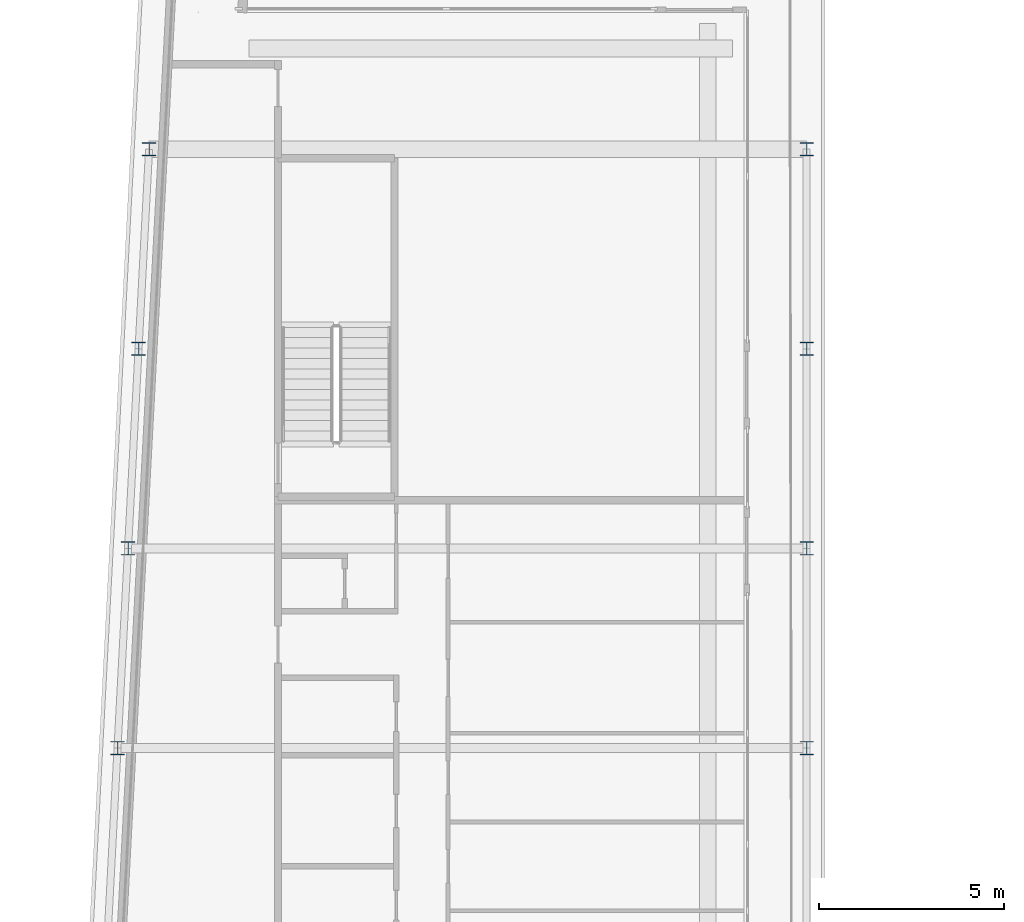
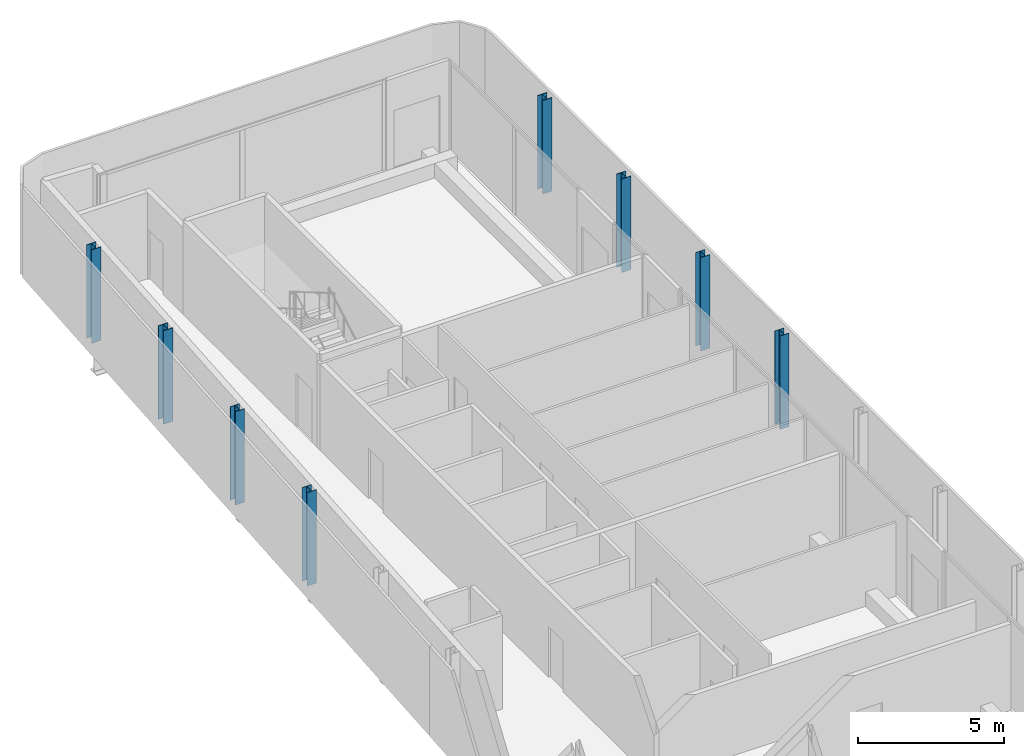
# One storey, part 3 of 19: 8 columns.
"""IFC4 building model written with IfcOpenShell, lengths in metres."""

from ifc_helpers import new_model, si_unit, direction, frame, origin, origin_2d, place, context, subcontext, project, spatial, i_section, extrude, material, material_profile, profile_set, type_object, element, save


model = new_model("IFC4")

# Units and contexts
model_context = context("Model", 3, precision=1e-05, world=origin(), true_north=direction((0.0, 1.0)))
body_context = subcontext(model_context, "Body", "Model", "MODEL_VIEW")
ifc_project = project(units=[si_unit("LENGTHUNIT", "METRE"), si_unit("AREAUNIT", "SQUARE_METRE"), si_unit("VOLUMEUNIT", "CUBIC_METRE"), si_unit("PLANEANGLEUNIT", "RADIAN"), si_unit("MASSUNIT", "GRAM", prefix="KILO")], contexts=[model_context])

# Site, building, storey
site_placement = place(None, origin())
site = spatial("IfcSite", under=ifc_project, at=site_placement, CompositionType="ELEMENT")
building_placement = place(site_placement, origin())
building = spatial("IfcBuilding", under=site, at=building_placement, Name="Kheshtan School and Residences Tower", CompositionType="ELEMENT")
storey_placement = place(building_placement, frame((0.0, 0.0, 353.89990234375)))
storey = spatial("IfcBuildingStorey", under=building, at=storey_placement, Name="L83", CompositionType="ELEMENT", Elevation=353.89990234375)

# Columns
ifc_material = material(Name="Steel ASTM A992 Grade 50", Category="steel")
ifc_material_profile = material_profile(ifc_material, i_section(OverallWidth=0.37109375, OverallDepth=0.364013671875, WebThickness=0.01318359375, FlangeThickness=0.021728515625, FilletRadius=0.010986328125, at=origin_2d()), Name="W360x162")
ifc_profile_set = profile_set([ifc_material_profile], Name="Steel ASTM A992 Grade 50")
column_type = type_object("IfcColumnType", Name="Column C6 W360x162 ASTM A992 Grade 50", PredefinedType="COLUMN", material=ifc_profile_set)
for number, where, z_axis, x_axis, name in (
    (1, (28.9580078125, 72.60009765625, 0.0), (0.0, 0.0, 1.0), (1.0, 0.0, 0.0), "Column C086"),
    (2, (47.60009765625, 72.60009765625, 0.0), (0.0, 0.0, 1.0), (1.0, 0.0, 0.0), "Column C087"),
    (3, (29.242919921875, 78.0, 0.0), (0.0, 0.0, 1.0), (1.0, 0.0, 0.0), "Column C088"),
    (4, (47.60009765625, 78.0, 0.0), (0.0, 0.0, 1.0), (1.0, 0.0, 0.0), "Column C089"),
    (5, (29.527099609375, 83.39990234375, 0.0), (0.0, 0.0, 1.0), (1.0, 0.0, 0.0), "Column C090"),
    (6, (47.60009765625, 83.39990234375, 0.0), (0.0, 0.0, 1.0), (1.0, 0.0, 0.0), "Column C091"),
    (7, (29.81103515625, 88.800048828125, 0.0), (0.0, 0.0, 1.0), (1.0, 0.0, 0.0), "Column C098"),
    (8, (47.60009765625, 88.800048828125, 0.0), (0.0, 0.0, 1.0), (1.0, 0.0, 0.0), "Column C099"),
):
    element("IfcColumn", number, at=place(storey_placement, frame(where, z_axis=z_axis, x_axis=x_axis)), inside=storey, type_object=column_type, Name=name, PredefinedType="COLUMN", context=body_context, shape_type="SweptSolid", body=[
        extrude(i_section(OverallWidth=0.37109375, OverallDepth=0.364013671875, WebThickness=0.01318359375, FlangeThickness=0.021728515625, FilletRadius=0.010986328125, at=origin_2d()), origin(), (0.0, 0.0, 1.0), 3.900146484375),
    ])

save(model, "model.ifc")
